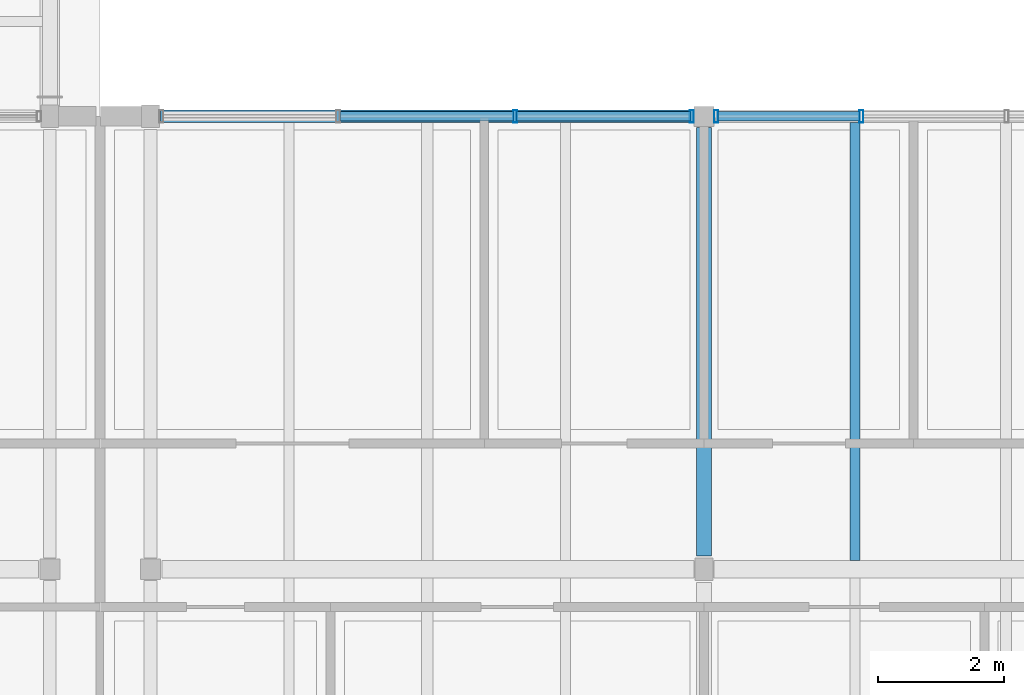
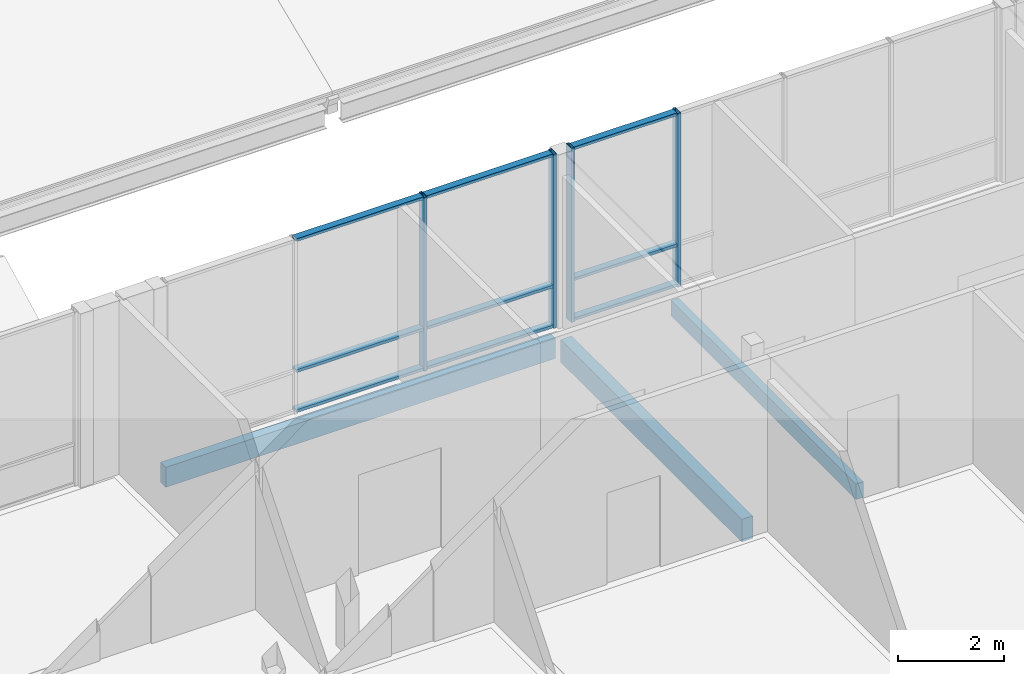
# One storey, part 35 of 115: 13 members, 3 beams, 2 elements without a shape of their own.
"""IFC4 building model written with IfcOpenShell, lengths in metres."""

from ifc_helpers import new_model, si_unit, direction, frame, origin, origin_2d, place, context, subcontext, project, spatial, rectangle, hollow_rectangle, extrude, material, material_profile, profile_set, type_object, element, aggregate, save


model = new_model("IFC4")

# Units and contexts
model_context = context("Model", 3, precision=1e-05, world=origin(), true_north=direction((0.0, 1.0)))
body_context = subcontext(model_context, "Body", "Model", "MODEL_VIEW")
ifc_project = project(units=[si_unit("LENGTHUNIT", "METRE"), si_unit("AREAUNIT", "SQUARE_METRE"), si_unit("VOLUMEUNIT", "CUBIC_METRE"), si_unit("PLANEANGLEUNIT", "RADIAN"), si_unit("MASSUNIT", "GRAM", prefix="KILO")], contexts=[model_context])

# Site, building, storey
site_placement = place(None, origin())
site = spatial("IfcSite", under=ifc_project, at=site_placement, CompositionType="ELEMENT")
building_placement = place(site_placement, origin())
building = spatial("IfcBuilding", under=site, at=building_placement, Name="Hawrajan Terrace Health Centre", CompositionType="ELEMENT")
storey_placement = place(building_placement, frame((0.0, 0.0, 9.0)))
storey = spatial("IfcBuildingStorey", under=building, at=storey_placement, Name="L02", CompositionType="ELEMENT", Elevation=9.0)

# Curtain wall, members
ifc_material_1 = material(Name="Anodized bronze aluminium and low-E solar glazing", Category="aluminium")
curtain_wall_type_1 = type_object("IfcCurtainWallType", Name="CW_Vestibule_SeriesH1", PredefinedType="USERDEFINED", material=ifc_material_1)
curtain_wall_1_placement = place(storey_placement, origin())
curtain_wall_1 = element("IfcCurtainWall", 1, at=curtain_wall_1_placement, inside=storey, type_object=curtain_wall_type_1, Name="Curtain wall CW-L02-139", ObjectType="UNITISED CURTAIN WALL", PredefinedType="USERDEFINED")
ifc_material_2 = material(Name="Anodized bronze aluminium 6063-T6", Category="aluminium")
ifc_material_profile_1 = material_profile(ifc_material_2, hollow_rectangle(XDim=0.06494140625, YDim=0.199951171875, WallThickness=0.00439453125, at=origin_2d()), Name="CW MUL 65x200")
ifc_profile_set_1 = profile_set([ifc_material_profile_1], Name="Anodized bronze aluminium 6063-T6")
member_type_1 = type_object("IfcMemberType", Name="CWMullion_65x200", PredefinedType="MULLION", material=ifc_profile_set_1)
member_1_placement = place(storey_placement, frame((78.395751953125, 18.60009765625, -0.0048828125), z_axis=(0.0, 0.0, 1.0), x_axis=(1.0, 0.0, 0.0)))
member_1 = element("IfcMember", 2, at=member_1_placement, type_object=member_type_1, Name="Mullion CW-L02-139-M3", PredefinedType="MULLION", context=body_context, shape_type="SweptSolid", body=[
    extrude(hollow_rectangle(XDim=0.06494140625, YDim=0.199951171875, WallThickness=0.00439453125, at=origin_2d()), origin(), (0.0, 0.0, 1.0), 4.0),
])
member_2_placement = place(storey_placement, frame((81.20751953125, 18.60009765625, -0.0048828125), z_axis=(0.0, 0.0, 1.0), x_axis=(1.0, 0.0, 0.0)))
member_2 = element("IfcMember", 3, at=member_2_placement, type_object=member_type_1, Name="Mullion CW-L02-139-M4", PredefinedType="MULLION", context=body_context, shape_type="SweptSolid", body=[
    extrude(hollow_rectangle(XDim=0.06494140625, YDim=0.199951171875, WallThickness=0.00439453125, at=origin_2d()), origin(), (0.0, 0.0, 1.0), 4.0),
])

curtain_wall_type_2 = type_object("IfcCurtainWallType", Name="CW_Setback_SeriesL1", PredefinedType="USERDEFINED", material=ifc_material_1)
curtain_wall_2_placement = place(storey_placement, origin())
curtain_wall_2 = element("IfcCurtainWall", 4, at=curtain_wall_2_placement, inside=storey, type_object=curtain_wall_type_2, Name="Curtain wall CW-L02-142", ObjectType="UNITISED CURTAIN WALL", PredefinedType="USERDEFINED")
member_3_placement = place(storey_placement, frame((81.592529296875, 18.60009765625, -0.0048828125), z_axis=(0.0, 0.0, 1.0), x_axis=(1.0, 0.0, 0.0)))
member_3 = element("IfcMember", 5, at=member_3_placement, type_object=member_type_1, Name="Mullion CW-L02-142-M1", PredefinedType="MULLION", context=body_context, shape_type="SweptSolid", body=[
    extrude(hollow_rectangle(XDim=0.06494140625, YDim=0.199951171875, WallThickness=0.00439453125, at=origin_2d()), origin(), (0.0, 0.0, 1.0), 4.0),
])
member_4_placement = place(storey_placement, frame((83.9013671875, 18.60009765625, -0.0048828125), z_axis=(0.0, 0.0, 1.0), x_axis=(1.0, 0.0, 0.0)))
member_4 = element("IfcMember", 6, at=member_4_placement, type_object=member_type_1, Name="Mullion CW-L02-142-M2", PredefinedType="MULLION", context=body_context, shape_type="SweptSolid", body=[
    extrude(hollow_rectangle(XDim=0.06494140625, YDim=0.199951171875, WallThickness=0.00439453125, at=origin_2d()), origin(), (0.0, 0.0, 1.0), 4.0),
])

# Member
ifc_material_profile_2 = material_profile(ifc_material_2, hollow_rectangle(XDim=0.06494140625, YDim=0.14990234375, WallThickness=0.00390625, at=origin_2d()), Name="CW TRN 65x150")
ifc_profile_set_2 = profile_set([ifc_material_profile_2], Name="Anodized bronze aluminium 6063-T6")
member_type_2 = type_object("IfcMemberType", Name="CWTransom_65x150", PredefinedType="USERDEFINED", material=ifc_profile_set_2)
member_5_placement = place(storey_placement, frame((75.610595703125, 18.60009765625, 0.032470703125), z_axis=(1.0, 0.0, 0.0), x_axis=(0.0, 0.0, 1.0)))
member_5 = element("IfcMember", 7, at=member_5_placement, type_object=member_type_2, Name="Transom CW-L02-139-T2-1", ObjectType="TRANSOM", PredefinedType="USERDEFINED", context=body_context, shape_type="SweptSolid", body=[
    extrude(hollow_rectangle(XDim=0.06494140625, YDim=0.14990234375, WallThickness=0.00390625, at=origin_2d()), origin(), (0.0, 0.0, 1.0), 2.7587890625),
])

member_6_placement = place(storey_placement, frame((75.610595703125, 18.60009765625, 0.949951171875), z_axis=(1.0, 0.0, 0.0), x_axis=(0.0, 0.0, 1.0)))
member_6 = element("IfcMember", 8, at=member_6_placement, type_object=member_type_2, Name="Transom CW-L02-139-T2-2", ObjectType="TRANSOM", PredefinedType="USERDEFINED", context=body_context, shape_type="SweptSolid", body=[
    extrude(hollow_rectangle(XDim=0.06494140625, YDim=0.14990234375, WallThickness=0.00390625, at=origin_2d()), origin(), (0.0, 0.0, 1.0), 2.7587890625),
])

member_7_placement = place(storey_placement, frame((75.610595703125, 18.60009765625, 3.95751953125), z_axis=(1.0, 0.0, 0.0), x_axis=(0.0, 0.0, 1.0)))
member_7 = element("IfcMember", 9, at=member_7_placement, type_object=member_type_2, Name="Transom CW-L02-139-T2-3", ObjectType="TRANSOM", PredefinedType="USERDEFINED", context=body_context, shape_type="SweptSolid", body=[
    extrude(hollow_rectangle(XDim=0.06494140625, YDim=0.14990234375, WallThickness=0.00390625, at=origin_2d()), origin(), (0.0, 0.0, 1.0), 2.7587890625),
])

member_8_placement = place(storey_placement, frame((78.42236328125, 18.60009765625, 0.032470703125), z_axis=(1.0, 0.0, 0.0), x_axis=(0.0, 0.0, 1.0)))
member_8 = element("IfcMember", 10, at=member_8_placement, type_object=member_type_2, Name="Transom CW-L02-139-T3-1", ObjectType="TRANSOM", PredefinedType="USERDEFINED", context=body_context, shape_type="SweptSolid", body=[
    extrude(hollow_rectangle(XDim=0.06494140625, YDim=0.14990234375, WallThickness=0.00390625, at=origin_2d()), origin(), (0.0, 0.0, 1.0), 2.758544921875),
])

member_9_placement = place(storey_placement, frame((78.42236328125, 18.60009765625, 0.949951171875), z_axis=(1.0, 0.0, 0.0), x_axis=(0.0, 0.0, 1.0)))
member_9 = element("IfcMember", 11, at=member_9_placement, type_object=member_type_2, Name="Transom CW-L02-139-T3-2", ObjectType="TRANSOM", PredefinedType="USERDEFINED", context=body_context, shape_type="SweptSolid", body=[
    extrude(hollow_rectangle(XDim=0.06494140625, YDim=0.14990234375, WallThickness=0.00390625, at=origin_2d()), origin(), (0.0, 0.0, 1.0), 2.758544921875),
])

member_10_placement = place(storey_placement, frame((78.42236328125, 18.60009765625, 3.95751953125), z_axis=(1.0, 0.0, 0.0), x_axis=(0.0, 0.0, 1.0)))
member_10 = element("IfcMember", 12, at=member_10_placement, type_object=member_type_2, Name="Transom CW-L02-139-T3-3", ObjectType="TRANSOM", PredefinedType="USERDEFINED", context=body_context, shape_type="SweptSolid", body=[
    extrude(hollow_rectangle(XDim=0.06494140625, YDim=0.14990234375, WallThickness=0.00390625, at=origin_2d()), origin(), (0.0, 0.0, 1.0), 2.758544921875),
])

aggregate(curtain_wall_1, [member_1, member_2, member_5, member_6, member_7, member_8, member_9, member_10])

member_11_placement = place(storey_placement, frame((81.618896484375, 18.60009765625, 0.032470703125), z_axis=(1.0, 0.0, 0.0), x_axis=(0.0, 0.0, 1.0)))
member_11 = element("IfcMember", 13, at=member_11_placement, type_object=member_type_2, Name="Transom CW-L02-142-T1-1", ObjectType="TRANSOM", PredefinedType="USERDEFINED", context=body_context, shape_type="SweptSolid", body=[
    extrude(hollow_rectangle(XDim=0.06494140625, YDim=0.14990234375, WallThickness=0.00390625, at=origin_2d()), origin(), (0.0, 0.0, 1.0), 2.255859375),
])

member_12_placement = place(storey_placement, frame((81.618896484375, 18.60009765625, 0.949951171875), z_axis=(1.0, 0.0, 0.0), x_axis=(0.0, 0.0, 1.0)))
member_12 = element("IfcMember", 14, at=member_12_placement, type_object=member_type_2, Name="Transom CW-L02-142-T1-2", ObjectType="TRANSOM", PredefinedType="USERDEFINED", context=body_context, shape_type="SweptSolid", body=[
    extrude(hollow_rectangle(XDim=0.06494140625, YDim=0.14990234375, WallThickness=0.00390625, at=origin_2d()), origin(), (0.0, 0.0, 1.0), 2.255859375),
])

member_13_placement = place(storey_placement, frame((81.618896484375, 18.60009765625, 3.95751953125), z_axis=(1.0, 0.0, 0.0), x_axis=(0.0, 0.0, 1.0)))
member_13 = element("IfcMember", 15, at=member_13_placement, type_object=member_type_2, Name="Transom CW-L02-142-T1-3", ObjectType="TRANSOM", PredefinedType="USERDEFINED", context=body_context, shape_type="SweptSolid", body=[
    extrude(hollow_rectangle(XDim=0.06494140625, YDim=0.14990234375, WallThickness=0.00390625, at=origin_2d()), origin(), (0.0, 0.0, 1.0), 2.255859375),
])

aggregate(curtain_wall_2, [member_3, member_4, member_11, member_12, member_13])

# Beams
ifc_material_3 = material(Name="Glulam GL32h", Category="wood")
ifc_material_profile_3 = material_profile(ifc_material_3, rectangle(XDim=0.239990234375, YDim=0.52001953125, at=origin_2d()), Name="GL BM 240x520")
ifc_profile_set_3 = profile_set([ifc_material_profile_3], Name="Glulam GL32h")
beam_type_1 = type_object("IfcBeamType", Name="GlulamGirder_240x520", PredefinedType="BEAM", material=ifc_profile_set_3)
beam_1_placement = place(storey_placement, frame((81.39990234375, 11.610107421875, -0.5), z_axis=(0.0, 1.0, 0.0), x_axis=(-1.0, 0.0, 0.0)))
element("IfcBeam", 16, at=beam_1_placement, inside=storey, type_object=beam_type_1, Name="Beam BM-Y-L02-C-X11-2", PredefinedType="BEAM", context=body_context, shape_type="SweptSolid", body=[
    extrude(rectangle(XDim=0.239990234375, YDim=0.52001953125, at=origin_2d()), origin(), (0.0, 0.0, 1.0), 6.809814453125),
])
ifc_material_4 = material(Name="Glulam GL28h", Category="wood")
ifc_material_profile_4 = material_profile(ifc_material_4, rectangle(XDim=0.159912109375, YDim=0.360107421875, at=origin_2d()), Name="GL JST 160x360")
ifc_profile_set_4 = profile_set([ifc_material_profile_4], Name="Glulam GL28h")
beam_type_2 = type_object("IfcBeamType", Name="GlulamJoist_160x360", PredefinedType="JOIST", material=ifc_profile_set_4)
beam_2_placement = place(storey_placement, frame((83.800048828125, 11.5400390625, -0.419921875), z_axis=(0.0, 1.0, 0.0), x_axis=(-1.0, 0.0, 0.0)))
element("IfcBeam", 17, at=beam_2_placement, inside=storey, type_object=beam_type_2, Name="Secondary joist JST-L02-C-11-2-1", PredefinedType="JOIST", context=body_context, shape_type="SweptSolid", body=[
    extrude(rectangle(XDim=0.159912109375, YDim=0.360107421875, at=origin_2d()), origin(), (0.0, 0.0, 1.0), 6.9599609375),
])
ifc_material_profile_5 = material_profile(ifc_material_3, rectangle(XDim=0.199951171875, YDim=0.4599609375, at=origin_2d()), Name="GL SP 200x460")
ifc_profile_set_5 = profile_set([ifc_material_profile_5], Name="Glulam GL32h")
beam_type_3 = type_object("IfcBeamType", Name="GlulamSpandrel_200x460", PredefinedType="SPANDREL", material=ifc_profile_set_5)
beam_3_placement = place(storey_placement, frame((72.760009765625, 18.60009765625, -0.469970703125), z_axis=(1.0, 0.0, 0.0), x_axis=(0.0, 1.0, 0.0)))
element("IfcBeam", 18, at=beam_3_placement, inside=storey, type_object=beam_type_3, Name="Beam BM-X-L02-C-10-Y3", PredefinedType="SPANDREL", context=body_context, shape_type="SweptSolid", body=[
    extrude(rectangle(XDim=0.199951171875, YDim=0.4599609375, at=origin_2d()), origin(), (0.0, 0.0, 1.0), 8.4599609375),
])

save(model, "model.ifc")
